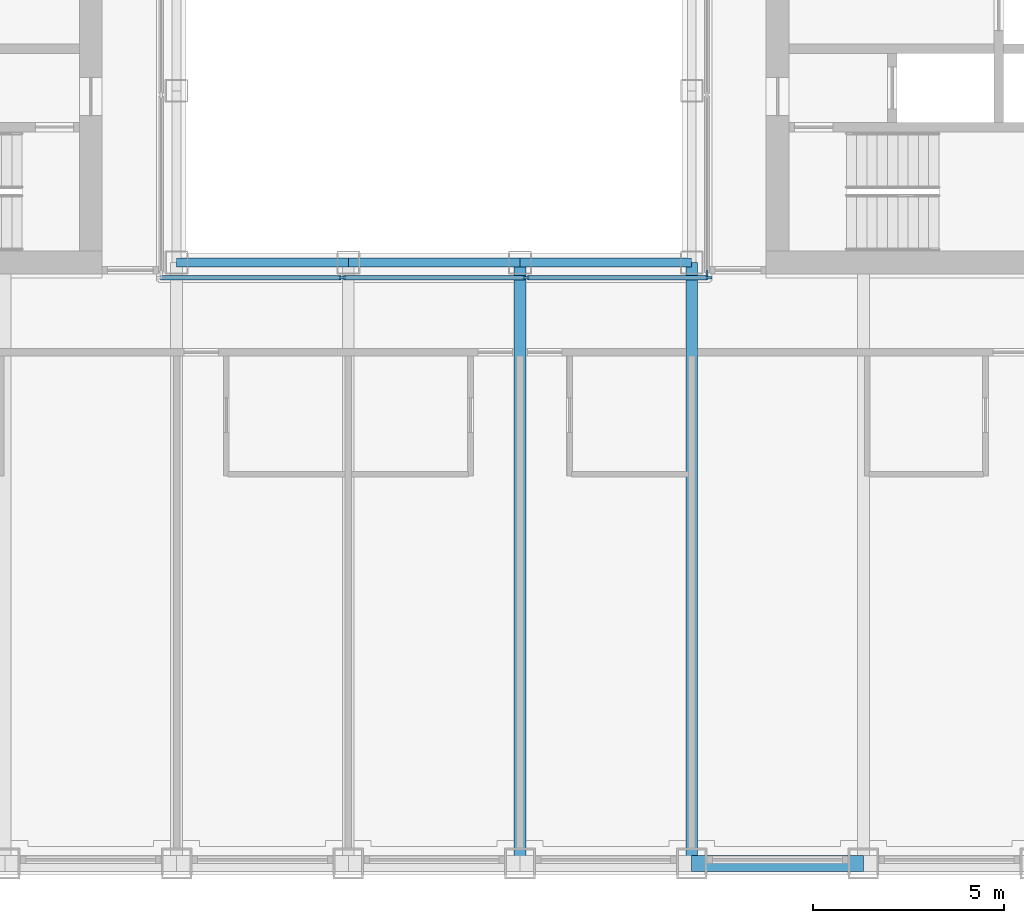
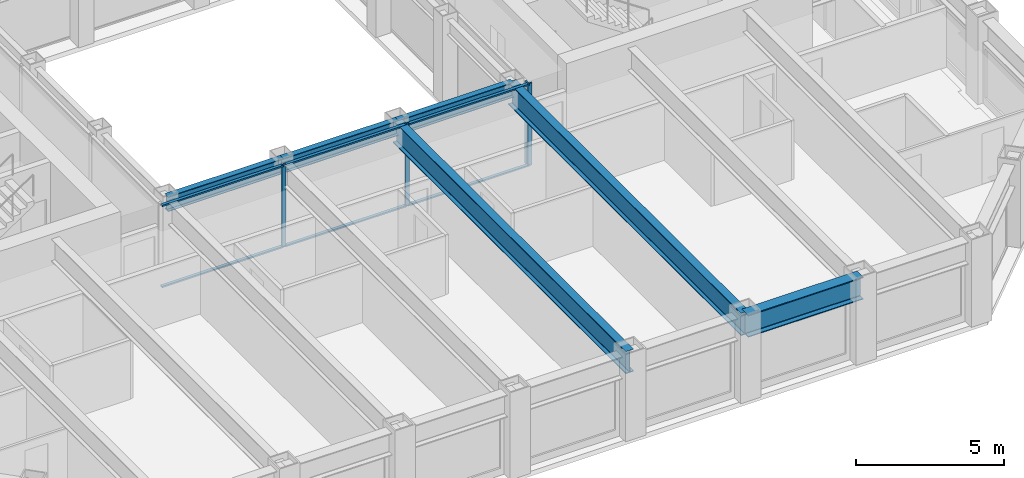
# One storey, part 3 of 17: 10 members, 6 beams, 2 elements without a shape of their own.
"""IFC4 building model written with IfcOpenShell, lengths in metres."""

from ifc_helpers import new_model, si_unit, direction, frame, origin, origin_2d, place, context, subcontext, project, spatial, rectangle, i_section, extrude, material, material_profile, profile_set, type_object, element, aggregate, save


model = new_model("IFC4")

# Units and contexts
model_context = context("Model", 3, precision=1e-05, world=origin(), true_north=direction((0.0, 1.0)))
body_context = subcontext(model_context, "Body", "Model", "MODEL_VIEW")
ifc_project = project(units=[si_unit("LENGTHUNIT", "METRE"), si_unit("AREAUNIT", "SQUARE_METRE"), si_unit("VOLUMEUNIT", "CUBIC_METRE"), si_unit("PLANEANGLEUNIT", "RADIAN"), si_unit("MASSUNIT", "GRAM", prefix="KILO")], contexts=[model_context])

# Site, building, storey
site_placement = place(None, origin())
site = spatial("IfcSite", under=ifc_project, at=site_placement, CompositionType="ELEMENT")
building_placement = place(site_placement, origin())
building = spatial("IfcBuilding", under=site, at=building_placement, Name="Msasa Ring Tower", CompositionType="ELEMENT")
storey_placement = place(building_placement, frame((0.0, 0.0, 154.39990234375)))
storey = spatial("IfcBuildingStorey", under=building, at=storey_placement, Name="L40", CompositionType="ELEMENT", Elevation=154.39990234375)

# Curtain wall, members
ifc_material_1 = material(Name="Aluminium curtain wall with clear glass", Category="aluminium")
curtain_wall_type = type_object("IfcCurtainWallType", Name="CW-W LIGHT WELL CURTAIN WALL", PredefinedType="NOTDEFINED", material=ifc_material_1)
curtain_wall_1_placement = place(storey_placement, origin())
curtain_wall_1 = element("IfcCurtainWall", 1, at=curtain_wall_1_placement, inside=storey, type_object=curtain_wall_type, Name="Light well curtain wall S L40", PredefinedType="NOTDEFINED")
ifc_material_2 = material(Name="Aluminium mullion", Category="aluminium")
ifc_material_profile_1 = material_profile(ifc_material_2, rectangle(XDim=0.06005859375, YDim=0.159912109375, at=origin_2d()), Name="AL 60x160")
ifc_profile_set_1 = profile_set([ifc_material_profile_1], Name="Aluminium mullion")
member_type_1 = type_object("IfcMemberType", Name="CW-W MULLION 60x160", PredefinedType="MULLION", material=ifc_profile_set_1)
member_1_placement = place(storey_placement, frame((-2.409912109375, -7.14990234375, 0.0), z_axis=(0.0, 0.0, 1.0), x_axis=(0.0, 1.0, 0.0)))
member_1 = element("IfcMember", 2, at=member_1_placement, type_object=member_type_1, Name="CW-W mullion 2", PredefinedType="MULLION", context=body_context, shape_type="SweptSolid", body=[
    extrude(rectangle(XDim=0.06005859375, YDim=0.159912109375, at=origin_2d()), origin(), (0.0, 0.0, 1.0), 3.400146484375),
])
member_2_placement = place(storey_placement, frame((2.409912109375, -7.14990234375, 0.0), z_axis=(0.0, 0.0, 1.0), x_axis=(0.0, 1.0, 0.0)))
member_2 = element("IfcMember", 3, at=member_2_placement, type_object=member_type_1, Name="CW-W mullion 3", PredefinedType="MULLION", context=body_context, shape_type="SweptSolid", body=[
    extrude(rectangle(XDim=0.06005859375, YDim=0.159912109375, at=origin_2d()), origin(), (0.0, 0.0, 1.0), 3.400146484375),
])
member_3_placement = place(storey_placement, frame((7.199951171875, -7.14990234375, 0.0), z_axis=(0.0, 0.0, 1.0), x_axis=(0.0, 1.0, 0.0)))
member_3 = element("IfcMember", 4, at=member_3_placement, type_object=member_type_1, Name="CW-W mullion 4", PredefinedType="MULLION", context=body_context, shape_type="SweptSolid", body=[
    extrude(rectangle(XDim=0.06005859375, YDim=0.159912109375, at=origin_2d()), origin(), (0.0, 0.0, 1.0), 3.400146484375),
])

# Curtain wall, member
curtain_wall_2_placement = place(storey_placement, origin())
curtain_wall_2 = element("IfcCurtainWall", 5, at=curtain_wall_2_placement, inside=storey, type_object=curtain_wall_type, Name="Light well curtain wall E L40", PredefinedType="NOTDEFINED")
member_4_placement = place(storey_placement, frame((7.14990234375, -7.0400390625, 0.0), z_axis=(0.0, 0.0, 1.0), x_axis=(-1.0, 0.0, 0.0)))
member_4 = element("IfcMember", 6, at=member_4_placement, type_object=member_type_1, Name="CW-W mullion 1", PredefinedType="MULLION", context=body_context, shape_type="SweptSolid", body=[
    extrude(rectangle(XDim=0.06005859375, YDim=0.159912109375, at=origin_2d()), origin(), (0.0, 0.0, 1.0), 3.400146484375),
])
aggregate(curtain_wall_2, [member_4])

# Member
ifc_material_3 = material(Name="Aluminium transom", Category="aluminium")
ifc_material_profile_2 = material_profile(ifc_material_3, rectangle(XDim=0.1201171875, YDim=0.06005859375, at=origin_2d()), Name="AL 60x120")
ifc_profile_set_2 = profile_set([ifc_material_profile_2], Name="Aluminium transom")
member_type_2 = type_object("IfcMemberType", Name="CW-W TRANSOM 60x120", PredefinedType="USERDEFINED", material=ifc_profile_set_2)
member_5_placement = place(storey_placement, frame((-7.169921875, -7.14990234375, 0.030029296875), z_axis=(1.0, 0.0, 0.0), x_axis=(0.0, 1.0, 0.0)))
member_5 = element("IfcMember", 7, at=member_5_placement, type_object=member_type_2, Name="CW-W transom 1.1", ObjectType="TRANSOM", PredefinedType="USERDEFINED", context=body_context, shape_type="SweptSolid", body=[
    extrude(rectangle(XDim=0.1201171875, YDim=0.06005859375, at=origin_2d()), origin(), (0.0, 0.0, 1.0), 4.72998046875),
])

member_6_placement = place(storey_placement, frame((-7.169921875, -7.14990234375, 3.3701171875), z_axis=(1.0, 0.0, 0.0), x_axis=(0.0, 1.0, 0.0)))
member_6 = element("IfcMember", 8, at=member_6_placement, type_object=member_type_2, Name="CW-W transom 1.2", ObjectType="TRANSOM", PredefinedType="USERDEFINED", context=body_context, shape_type="SweptSolid", body=[
    extrude(rectangle(XDim=0.1201171875, YDim=0.06005859375, at=origin_2d()), origin(), (0.0, 0.0, 1.0), 4.72998046875),
])

member_7_placement = place(storey_placement, frame((-2.3798828125, -7.14990234375, 0.030029296875), z_axis=(1.0, 0.0, 0.0), x_axis=(0.0, 1.0, 0.0)))
member_7 = element("IfcMember", 9, at=member_7_placement, type_object=member_type_2, Name="CW-W transom 2.1", ObjectType="TRANSOM", PredefinedType="USERDEFINED", context=body_context, shape_type="SweptSolid", body=[
    extrude(rectangle(XDim=0.1201171875, YDim=0.06005859375, at=origin_2d()), origin(), (0.0, 0.0, 1.0), 4.759765625),
])

member_8_placement = place(storey_placement, frame((-2.3798828125, -7.14990234375, 3.3701171875), z_axis=(1.0, 0.0, 0.0), x_axis=(0.0, 1.0, 0.0)))
member_8 = element("IfcMember", 10, at=member_8_placement, type_object=member_type_2, Name="CW-W transom 2.2", ObjectType="TRANSOM", PredefinedType="USERDEFINED", context=body_context, shape_type="SweptSolid", body=[
    extrude(rectangle(XDim=0.1201171875, YDim=0.06005859375, at=origin_2d()), origin(), (0.0, 0.0, 1.0), 4.759765625),
])

member_9_placement = place(storey_placement, frame((2.43994140625, -7.14990234375, 0.030029296875), z_axis=(1.0, 0.0, 0.0), x_axis=(0.0, 1.0, 0.0)))
member_9 = element("IfcMember", 11, at=member_9_placement, type_object=member_type_2, Name="CW-W transom 3.1", ObjectType="TRANSOM", PredefinedType="USERDEFINED", context=body_context, shape_type="SweptSolid", body=[
    extrude(rectangle(XDim=0.1201171875, YDim=0.06005859375, at=origin_2d()), origin(), (0.0, 0.0, 1.0), 4.72998046875),
])

member_10_placement = place(storey_placement, frame((2.43994140625, -7.14990234375, 3.3701171875), z_axis=(1.0, 0.0, 0.0), x_axis=(0.0, 1.0, 0.0)))
member_10 = element("IfcMember", 12, at=member_10_placement, type_object=member_type_2, Name="CW-W transom 3.2", ObjectType="TRANSOM", PredefinedType="USERDEFINED", context=body_context, shape_type="SweptSolid", body=[
    extrude(rectangle(XDim=0.1201171875, YDim=0.06005859375, at=origin_2d()), origin(), (0.0, 0.0, 1.0), 4.72998046875),
])

aggregate(curtain_wall_1, [member_1, member_2, member_3, member_5, member_6, member_7, member_8, member_9, member_10])

# Beams
ifc_material_4 = material(Name="Steel S355", Category="steel")
ifc_material_profile_3 = material_profile(ifc_material_4, i_section(OverallWidth=0.3076171875, OverallDepth=0.926513671875, WebThickness=0.01953125, FlangeThickness=0.031982421875, FilletRadius=0.01904296875, at=origin_2d()), Name="UB 914x305x289")
ifc_profile_set_3 = profile_set([ifc_material_profile_3], Name="Steel S355")
beam_type_1 = type_object("IfcBeamType", Name="FB3 UB 914x305x289", PredefinedType="BEAM", material=ifc_profile_set_3)
for number, where, z_axis, x_axis, name in (
    (13, (2.25, -22.5, 2.936767578125), (0.0, 1.0, 0.0), (-1.0, 0.0, 0.0), "Floor beam S+2.25 under L41"),
    (14, (6.75, -22.5, 2.936767578125), (0.0, 1.0, 0.0), (-1.0, 0.0, 0.0), "Floor beam S+6.75 under L41"),
):
    element("IfcBeam", number, at=place(storey_placement, frame(where, z_axis=z_axis, x_axis=x_axis)), inside=storey, type_object=beam_type_1, Name=name, PredefinedType="BEAM", context=body_context, shape_type="SweptSolid", body=[
        extrude(i_section(OverallWidth=0.3076171875, OverallDepth=0.926513671875, WebThickness=0.01953125, FlangeThickness=0.031982421875, FilletRadius=0.01904296875, at=origin_2d()), origin(), (0.0, 0.0, 1.0), 15.75),
    ])
ifc_material_5 = material(Name="Steel S355", Category="steel")
ifc_material_profile_4 = material_profile(ifc_material_5, i_section(OverallWidth=0.230224609375, OverallDepth=0.6171875, WebThickness=0.01318359375, FlangeThickness=0.022216796875, FilletRadius=0.0126953125, at=origin_2d()), Name="UB 610x229x140")
ifc_profile_set_4 = profile_set([ifc_material_profile_4], Name="Steel S355")
beam_type_2 = type_object("IfcBeamType", Name="RB1 UB 610x229x140", PredefinedType="BEAM", material=ifc_profile_set_4)
for number, where, z_axis, x_axis, name in (
    (15, (-6.75, -6.75, 3.091552734375), (1.0, 0.0, 0.0), (0.0, 1.0, 0.0), "Inner ring beam IR-6.75-6.75 under L41"),
    (16, (-2.25, -6.75, 3.091552734375), (1.0, 0.0, 0.0), (0.0, 1.0, 0.0), "Inner ring beam IR-2.25-6.75 under L41"),
    (17, (2.25, -6.75, 3.091552734375), (1.0, 0.0, 0.0), (0.0, 1.0, 0.0), "Inner ring beam IR+2.25-6.75 under L41"),
):
    element("IfcBeam", number, at=place(storey_placement, frame(where, z_axis=z_axis, x_axis=x_axis)), inside=storey, type_object=beam_type_2, Name=name, PredefinedType="BEAM", context=body_context, shape_type="SweptSolid", body=[
        extrude(i_section(OverallWidth=0.230224609375, OverallDepth=0.6171875, WebThickness=0.01318359375, FlangeThickness=0.022216796875, FilletRadius=0.0126953125, at=origin_2d()), origin(), (0.0, 0.0, 1.0), 4.5),
    ])
ifc_material_6 = material(Name="Steel S355", Category="steel")
ifc_material_profile_5 = material_profile(ifc_material_6, i_section(OverallWidth=0.42041015625, OverallDepth=0.9208984375, WebThickness=0.021484375, FlangeThickness=0.03662109375, FilletRadius=0.024169921875, at=origin_2d()), Name="UB 914x419x388")
ifc_profile_set_5 = profile_set([ifc_material_profile_5], Name="Steel S355")
beam_type_3 = type_object("IfcBeamType", Name="SB1 UB 914x419x388", PredefinedType="SPANDREL", material=ifc_profile_set_5)
beam_placement = place(storey_placement, frame((6.75, -22.5, 2.939697265625), z_axis=(1.0, 0.0, 0.0), x_axis=(0.0, 1.0, 0.0)))
element("IfcBeam", 18, at=beam_placement, inside=storey, type_object=beam_type_3, Name="Spandrel S+6.75 to S+11.25 under L41", PredefinedType="SPANDREL", context=body_context, shape_type="SweptSolid", body=[
    extrude(i_section(OverallWidth=0.42041015625, OverallDepth=0.9208984375, WebThickness=0.021484375, FlangeThickness=0.03662109375, FilletRadius=0.024169921875, at=origin_2d()), origin(), (0.0, 0.0, 1.0), 4.5),
])

save(model, "model.ifc")
